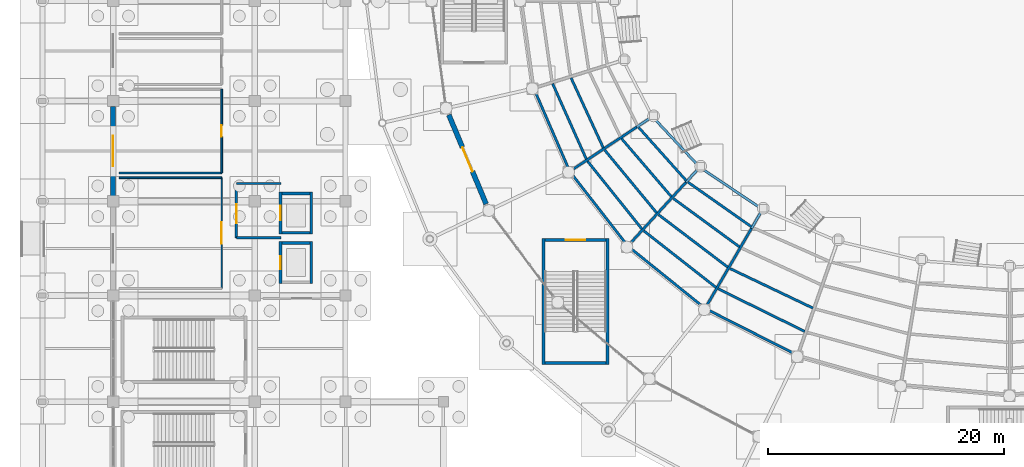
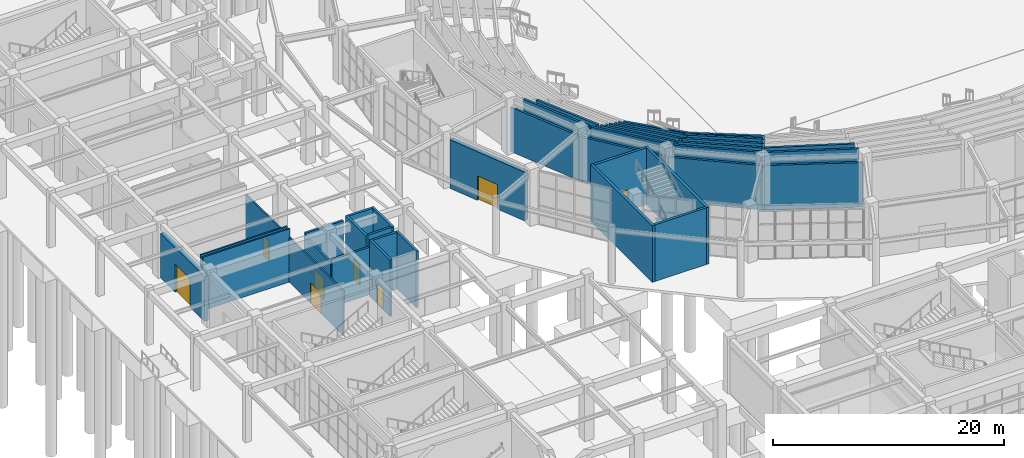
# One storey, part 82 of 121: 41 walls, 8 doors, 8 openings.
"""IFC4 building model written with IfcOpenShell, lengths in metres."""

from ifc_helpers import new_model, si_unit, direction, frame, frame_2d, origin, place, context, subcontext, project, spatial, polyline, rectangle, outline, extrude, material, layer, layer_set, type_object, element, fill, save


model = new_model("IFC4")

# Units and contexts
model_context = context("Model", 3, precision=1e-05, world=origin(), true_north=direction((0.0, 1.0)))
body_context = subcontext(model_context, "Body", "Model", "MODEL_VIEW")
ifc_project = project(units=[si_unit("LENGTHUNIT", "METRE"), si_unit("AREAUNIT", "SQUARE_METRE"), si_unit("VOLUMEUNIT", "CUBIC_METRE"), si_unit("PLANEANGLEUNIT", "RADIAN"), si_unit("MASSUNIT", "GRAM", prefix="KILO")], contexts=[model_context])

# Site, building, storey
site_placement = place(None, origin())
site = spatial("IfcSite", under=ifc_project, at=site_placement, CompositionType="ELEMENT")
building_placement = place(site_placement, origin())
building = spatial("IfcBuilding", under=site, at=building_placement, Name="Cuetzalor Civic Arena", CompositionType="ELEMENT")
storey_placement = place(building_placement, origin())
storey = spatial("IfcBuildingStorey", under=building, at=storey_placement, Name="L00", CompositionType="ELEMENT", Elevation=0.0)

# Wall
ifc_material_1 = material(Name="Acoustic steel-stud gypsum partition", Category="steel")
ifc_layer_1 = layer(ifc_material_1, 0.14990234375)
ifc_layer_set_1 = layer_set([ifc_layer_1], Name="Acoustic steel-stud gypsum partition")
wall_type_1 = type_object("IfcWallType", Name="AcousticGypsumPartition_150", PredefinedType="PARTITIONING", material=ifc_layer_set_1)
wall_1_placement = place(storey_placement, frame((-75.5, -15.0, 0.0), z_axis=(0.0, 0.0, 1.0), x_axis=(1.0, 0.0, 0.0)))
element("IfcWall", 1, at=wall_1_placement, inside=storey, type_object=wall_type_1, Name="Interior Partition IWALL:L00:0091", PredefinedType="PARTITIONING", context=body_context, shape_type="SweptSolid", body=[
    extrude(rectangle(XDim=8.699951171875, YDim=0.14990234375, at=frame_2d((4.35009765625, 0.0))), origin(), (0.0, 0.0, 1.0), 5.639892578125),
])

# Wall, opening, door
wall_2_placement = place(storey_placement, frame((-66.800048828125, -15.0, 0.0), z_axis=(0.0, 0.0, 1.0), x_axis=(0.0, -1.0, 0.0)))
wall_2 = element("IfcWall", 2, at=wall_2_placement, inside=storey, type_object=wall_type_1, Name="Interior Partition IWALL:L00:0093", PredefinedType="PARTITIONING", context=body_context, shape_type="SweptSolid", body=[
    extrude(rectangle(XDim=9.39990234375, YDim=0.14990234375, at=frame_2d((4.699951171875, 0.0))), origin(), (0.0, 0.0, 1.0), 4.72509765625),
])
opening_1_placement = place(wall_2_placement, frame((3.800048828125, 0.0, 0.0)))
opening_1 = element("IfcOpeningElement", 3, at=opening_1_placement, cuts=wall_2, Name="Opening ID-06", PredefinedType="OPENING", context=body_context, shape_type="SweptSolid", body=[
    extrude(rectangle(XDim=1.800048828125, YDim=2.199951171875, at=frame_2d((0.89990234375, 1.10009765625))), frame((0.0, 0.0849609375, 0.0), z_axis=(0.0, -1.0, 0.0), x_axis=(1.0, 0.0, 0.0)), (0.0, 0.0, 1.0), 0.169921875),
])
ifc_material_2 = material(Name="Glazed bronze acoustic double door", Category="metal")
door_type_1 = type_object("IfcDoorType", Name="PublicDoubleDoor_1800x2200", OperationType="DOUBLE_DOOR_SINGLE_SWING", PredefinedType="DOOR", material=ifc_material_2)
door_1_placement = place(opening_1_placement, origin())
door_1 = element("IfcDoor", 4, at=door_1_placement, inside=storey, type_object=door_type_1, Name="Door to Concessions Hall West South L00", OperationType="DOUBLE_DOOR_SINGLE_SWING", OverallHeight=2.199951171875, OverallWidth=1.800048828125, PredefinedType="DOOR", context=body_context, shape_type="SweptSolid", body=[
    extrude(rectangle(XDim=1.800048828125, YDim=2.199951171875, at=frame_2d((0.89990234375, 1.10009765625))), frame((0.0, 0.02490234375, 0.0), z_axis=(0.0, -1.0, 0.0), x_axis=(1.0, 0.0, 0.0)), (0.0, 0.0, 1.0), 0.050048828125),
])
fill(opening_1, door_1)

# Wall
wall_3_placement = place(storey_placement, frame((-66.800048828125, -14.60009765625, 0.0), z_axis=(0.0, 0.0, 1.0), x_axis=(-1.0, 0.0, 0.0)))
element("IfcWall", 5, at=wall_3_placement, inside=storey, type_object=wall_type_1, Name="Interior Partition IWALL:L00:0095", PredefinedType="PARTITIONING", context=body_context, shape_type="SweptSolid", body=[
    extrude(rectangle(XDim=8.699951171875, YDim=0.14990234375, at=frame_2d((4.35009765625, 0.0))), origin(), (0.0, 0.0, 1.0), 5.639892578125),
])

# Wall, opening, door
wall_4_placement = place(storey_placement, frame((-66.800048828125, -7.5, 0.0), z_axis=(0.0, 0.0, 1.0), x_axis=(0.0, -1.0, 0.0)))
wall_4 = element("IfcWall", 6, at=wall_4_placement, inside=storey, type_object=wall_type_1, Name="Interior Partition IWALL:L00:0096", PredefinedType="PARTITIONING", context=body_context, shape_type="SweptSolid", body=[
    extrude(rectangle(XDim=7.10009765625, YDim=0.14990234375, at=frame_2d((3.550048828125, 0.0))), origin(), (0.0, 0.0, 1.0), 4.72509765625),
])
opening_2_placement = place(wall_4_placement, frame((3.074951171875, 0.0, 0.0)))
opening_2 = element("IfcOpeningElement", 7, at=opening_2_placement, cuts=wall_4, Name="Opening ID-03", PredefinedType="OPENING", context=body_context, shape_type="SweptSolid", body=[
    extrude(rectangle(XDim=0.949951171875, YDim=2.14990234375, at=frame_2d((0.47509765625, 1.074951171875))), frame((0.0, 0.0849609375, 0.0), z_axis=(0.0, -1.0, 0.0), x_axis=(1.0, 0.0, 0.0)), (0.0, 0.0, 1.0), 0.169921875),
])
ifc_material_3 = material(Name="Painted steel frame and solid timber leaf", Category="steel")
door_type_2 = type_object("IfcDoorType", Name="InteriorSingleDoor_950x2150", OperationType="NOTDEFINED", PredefinedType="DOOR", material=ifc_material_3)
door_2_placement = place(opening_2_placement, origin())
door_2 = element("IfcDoor", 8, at=door_2_placement, inside=storey, type_object=door_type_2, Name="Door to Public Restroom West South L00", OperationType="SINGLE_SWING_LEFT", OverallHeight=2.14990234375, OverallWidth=0.949951171875, PredefinedType="DOOR", context=body_context, shape_type="SweptSolid", body=[
    extrude(rectangle(XDim=0.949951171875, YDim=2.14990234375, at=frame_2d((0.47509765625, 1.074951171875))), frame((0.0, 0.02490234375, 0.0), z_axis=(0.0, -1.0, 0.0), x_axis=(1.0, 0.0, 0.0)), (0.0, 0.0, 1.0), 0.050048828125),
])
fill(opening_2, door_2)

ifc_material_4 = material(Name="Puebla cantera gris stone on Concrete C35/45", Category="masonry")
ifc_layer_2 = layer(ifc_material_4, 0.419921875)
ifc_layer_set_2 = layer_set([ifc_layer_2], Name="Puebla cantera gris stone on Concrete C35/45")
wall_type_2 = type_object("IfcWallType", Name="CanteraStoneArcadeWall_420", PredefinedType="SOLIDWALL", material=ifc_layer_set_2)
wall_5_placement = place(storey_placement, frame((-44.38037109375, -17.232421875, 0.0), z_axis=(0.0, 0.0, 1.0), x_axis=(-0.385830591871, 0.92256964744, 0.0)))
wall_5 = element("IfcWall", 9, at=wall_5_placement, inside=storey, type_object=wall_type_2, Name="Drum Ground Colonnade Portal Wall L00-005", PredefinedType="SOLIDWALL", context=body_context, shape_type="SweptSolid", body=[
    extrude(rectangle(XDim=8.18603515625, YDim=0.419921875, at=frame_2d((4.093017578125, 0.0))), origin(), (0.0, 0.0, 1.0), 5.156982421875),
])
opening_3_placement = place(wall_5_placement, frame((2.992919921875, 0.0, 0.0)))
opening_3 = element("IfcOpeningElement", 10, at=opening_3_placement, cuts=wall_5, Name="Opening ED-07", PredefinedType="OPENING", context=body_context, shape_type="SweptSolid", body=[
    extrude(rectangle(XDim=2.199951171875, YDim=2.60009765625, at=frame_2d((1.10009765625, 1.300048828125))), frame((0.0, 0.219970703125, 0.0), z_axis=(0.0, -1.0, 0.0), x_axis=(1.0, 0.0, 0.0)), (0.0, 0.0, 1.0), 0.43994140625),
])
ifc_material_5 = material(Name="Thermally broken bronze steel and laminated glass", Category="steel")
door_type_3 = type_object("IfcDoorType", Name="PedestrianExitPortal_2200x2600", OperationType="DOUBLE_DOOR_SINGLE_SWING", PredefinedType="DOOR", material=ifc_material_5)
door_3_placement = place(opening_3_placement, origin())
door_3 = element("IfcDoor", 11, at=door_3_placement, inside=storey, type_object=door_type_3, Name="Pedestrian exit gate G05", OperationType="DOUBLE_DOOR_SINGLE_SWING", OverallHeight=2.60009765625, OverallWidth=2.199951171875, PredefinedType="DOOR", context=body_context, shape_type="SweptSolid", body=[
    extrude(rectangle(XDim=2.199951171875, YDim=2.60009765625, at=frame_2d((1.10009765625, 1.300048828125))), frame((0.0, 0.02490234375, 0.0), z_axis=(0.0, -1.0, 0.0), x_axis=(1.0, 0.0, 0.0)), (0.0, 0.0, 1.0), 0.050048828125),
])
fill(opening_3, door_3)

wall_6_placement = place(storey_placement, frame((-76.0, -16.54296875, 0.0), z_axis=(0.0, 0.0, 1.0), x_axis=(0.0, 1.0, 0.0)))
wall_6 = element("IfcWall", 12, at=wall_6_placement, inside=storey, type_object=wall_type_2, Name="V4W Colonnade Entrance Wall L00-122", PredefinedType="SOLIDWALL", context=body_context, shape_type="SweptSolid", body=[
    extrude(rectangle(XDim=7.5859375, YDim=0.419921875, at=frame_2d((3.79296875, 0.0))), origin(), (0.0, 0.0, 1.0), 4.739990234375),
])
opening_4_placement = place(wall_6_placement, frame((2.492919921875, 0.0, 0.0)))
opening_4 = element("IfcOpeningElement", 13, at=opening_4_placement, cuts=wall_6, Name="Opening ED-02", PredefinedType="OPENING", context=body_context, shape_type="SweptSolid", body=[
    extrude(rectangle(XDim=2.60009765625, YDim=3.0, at=frame_2d((1.300048828125, 1.5))), frame((0.0, 0.219970703125, 0.0), z_axis=(0.0, -1.0, 0.0), x_axis=(1.0, 0.0, 0.0)), (0.0, 0.0, 1.0), 0.43994140625),
])
ifc_material_6 = material(Name="Thermally broken bronze steel and laminated glass", Category="steel")
door_type_4 = type_object("IfcDoorType", Name="MainColonnadeEntrance_2600x3000", OperationType="DOUBLE_DOOR_SINGLE_SWING", PredefinedType="DOOR", material=ifc_material_6)
door_4_placement = place(opening_4_placement, origin())
door_4 = element("IfcDoor", 14, at=door_4_placement, inside=storey, type_object=door_type_4, Name="Main entrance E08", OperationType="DOUBLE_DOOR_SINGLE_SWING", OverallHeight=3.0, OverallWidth=2.60009765625, PredefinedType="DOOR", context=body_context, shape_type="SweptSolid", body=[
    extrude(rectangle(XDim=2.60009765625, YDim=3.0, at=frame_2d((1.300048828125, 1.5))), frame((0.0, 0.02490234375, 0.0), z_axis=(0.0, -1.0, 0.0), x_axis=(1.0, 0.0, 0.0)), (0.0, 0.0, 1.0), 0.050048828125),
])
fill(opening_4, door_4)

# Wall
ifc_material_7 = material(Name="Concrete C40/50", Category="concrete")
ifc_layer_3 = layer(ifc_material_7, 0.25)
ifc_layer_set_3 = layer_set([ifc_layer_3], Name="Concrete C40/50")
wall_type_3 = type_object("IfcWallType", Name="ConcreteCoreShearWall_250", PredefinedType="SHEAR", material=ifc_layer_set_3)
wall_7_placement = place(storey_placement, frame((-39.52490234375, -30.85009765625, 0.0), z_axis=(0.0, 0.0, 1.0), x_axis=(0.0, 1.0, 0.0)))
element("IfcWall", 15, at=wall_7_placement, inside=storey, type_object=wall_type_3, Name="Stair Core Shear Wall ST-06-L00-W", PredefinedType="SHEAR", context=body_context, shape_type="SweptSolid", body=[
    extrude(rectangle(XDim=10.7001953125, YDim=0.25, at=frame_2d((5.35009765625, 0.0))), origin(), (0.0, 0.0, 1.0), 6.0),
])

# Wall, opening, door
wall_8_placement = place(storey_placement, frame((-39.39990234375, -20.27490234375, 0.0), z_axis=(0.0, 0.0, 1.0), x_axis=(1.0, 0.0, 0.0)))
wall_8 = element("IfcWall", 16, at=wall_8_placement, inside=storey, type_object=wall_type_3, Name="Stair Core Shear Wall ST-06-L00-N", PredefinedType="SHEAR", context=body_context, shape_type="SweptSolid", body=[
    extrude(rectangle(XDim=5.199951171875, YDim=0.25, at=frame_2d((2.60009765625, 0.0))), origin(), (0.0, 0.0, 1.0), 6.0),
])
opening_5_placement = place(wall_8_placement, frame((1.77490234375, 0.0, 0.0)))
opening_5 = element("IfcOpeningElement", 17, at=opening_5_placement, cuts=wall_8, Name="Opening FD-04", PredefinedType="OPENING", context=body_context, shape_type="SweptSolid", body=[
    extrude(rectangle(XDim=1.64990234375, YDim=2.199951171875, at=frame_2d((0.824951171875, 1.10009765625))), frame((0.0, 0.135009765625, 0.0), z_axis=(0.0, -1.0, 0.0), x_axis=(1.0, 0.0, 0.0)), (0.0, 0.0, 1.0), 0.27001953125),
])
ifc_material_8 = material(Name="Fire-rated steel stair exit double door", Category="steel")
door_type_5 = type_object("IfcDoorType", Name="StairFireDoubleDoor_1650x2200", OperationType="DOUBLE_DOOR_SINGLE_SWING", PredefinedType="DOOR", material=ifc_material_8)
door_5_placement = place(opening_5_placement, origin())
door_5 = element("IfcDoor", 18, at=door_5_placement, inside=storey, type_object=door_type_5, Name="Fire Stair Door ST-06 L00", OperationType="DOUBLE_DOOR_SINGLE_SWING", OverallHeight=2.199951171875, OverallWidth=1.64990234375, PredefinedType="DOOR", context=body_context, shape_type="SweptSolid", body=[
    extrude(rectangle(XDim=1.64990234375, YDim=2.199951171875, at=frame_2d((0.824951171875, 1.10009765625))), frame((0.0, 0.02490234375, 0.0), z_axis=(0.0, -1.0, 0.0), x_axis=(1.0, 0.0, 0.0)), (0.0, 0.0, 1.0), 0.050048828125),
])
fill(opening_5, door_5)

# Walls
wall_9_placement = place(storey_placement, frame((-34.074951171875, -20.14990234375, 0.0), z_axis=(0.0, 0.0, 1.0), x_axis=(0.0, -1.0, 0.0)))
element("IfcWall", 19, at=wall_9_placement, inside=storey, type_object=wall_type_3, Name="Stair Core Shear Wall ST-06-L00-E", PredefinedType="SHEAR", context=body_context, shape_type="SweptSolid", body=[
    extrude(rectangle(XDim=10.7001953125, YDim=0.25, at=frame_2d((5.35009765625, 0.0))), origin(), (0.0, 0.0, 1.0), 6.0),
])
wall_10_placement = place(storey_placement, frame((-34.199951171875, -30.72509765625, 0.0), z_axis=(0.0, 0.0, 1.0), x_axis=(-1.0, 0.0, 0.0)))
element("IfcWall", 20, at=wall_10_placement, inside=storey, type_object=wall_type_3, Name="Stair Core Shear Wall ST-06-L00-S", PredefinedType="SHEAR", context=body_context, shape_type="SweptSolid", body=[
    extrude(rectangle(XDim=5.199951171875, YDim=0.25, at=frame_2d((2.60009765625, 0.0))), origin(), (0.0, 0.0, 1.0), 6.0),
])

# Wall, opening, door
ifc_material_9 = material(Name="Fire-rated masonry and gypsum partition", Category="masonry")
ifc_layer_4 = layer(ifc_material_9, 0.199951171875)
ifc_layer_set_4 = layer_set([ifc_layer_4], Name="Fire-rated masonry and gypsum partition")
wall_type_4 = type_object("IfcWallType", Name="FireCompartmentWall_200", PredefinedType="PARTITIONING", material=ifc_layer_set_4)
wall_11_placement = place(storey_placement, frame((-65.550048828125, -20.10009765625, 0.0), z_axis=(0.0, 0.0, 1.0), x_axis=(0.0, 1.0, 0.0)))
wall_11 = element("IfcWall", 21, at=wall_11_placement, inside=storey, type_object=wall_type_4, Name="Interior Partition IWALL:L00:0001", PredefinedType="PARTITIONING", context=body_context, shape_type="SweptSolid", body=[
    extrude(rectangle(XDim=4.60009765625, YDim=0.199951171875, at=frame_2d((2.300048828125, 0.0))), origin(), (0.0, 0.0, 1.0), 4.72509765625),
])
opening_6_placement = place(wall_11_placement, frame((1.25, 0.0, 0.0)))
opening_6 = element("IfcOpeningElement", 22, at=opening_6_placement, cuts=wall_11, Name="Opening FD-05", PredefinedType="OPENING", context=body_context, shape_type="SweptSolid", body=[
    extrude(rectangle(XDim=1.60009765625, YDim=2.199951171875, at=frame_2d((0.800048828125, 1.10009765625))), frame((0.0, 0.10986328125, 0.0), z_axis=(0.0, -1.0, 0.0), x_axis=(1.0, 0.0, 0.0)), (0.0, 0.0, 1.0), 0.219970703125),
])
ifc_material_10 = material(Name="Fire-rated smoke-seal lobby double door", Category="steel")
door_type_6 = type_object("IfcDoorType", Name="FireLobbyDoubleDoor_1600x2200", OperationType="DOUBLE_DOOR_SINGLE_SWING", PredefinedType="DOOR", material=ifc_material_10)
door_6_placement = place(opening_6_placement, origin())
door_6 = element("IfcDoor", 23, at=door_6_placement, inside=storey, type_object=door_type_6, Name="Door to Firefighting Lift Lobby LF-01 L00", OperationType="DOUBLE_DOOR_SINGLE_SWING", OverallHeight=2.199951171875, OverallWidth=1.60009765625, PredefinedType="DOOR", context=body_context, shape_type="SweptSolid", body=[
    extrude(rectangle(XDim=1.60009765625, YDim=2.199951171875, at=frame_2d((0.800048828125, 1.10009765625))), frame((0.0, 0.02490234375, 0.0), z_axis=(0.0, -1.0, 0.0), x_axis=(1.0, 0.0, 0.0)), (0.0, 0.0, 1.0), 0.050048828125),
])
fill(opening_6, door_6)

# Walls
for number, where, z_axis, x_axis, name in (
    (24, (-65.550048828125, -15.5, 0.0), (0.0, 0.0, 1.0), (1.0, 0.0, 0.0), "Interior Partition IWALL:L00:0002"),
    (25, (-61.75, -20.10009765625, 0.0), (0.0, 0.0, 1.0), (-1.0, 0.0, 0.0), "Interior Partition IWALL:L00:0003"),
):
    element("IfcWall", number, at=place(storey_placement, frame(where, z_axis=z_axis, x_axis=x_axis)), inside=storey, type_object=wall_type_4, Name=name, PredefinedType="PARTITIONING", context=body_context, shape_type="SweptSolid", body=[
        extrude(rectangle(XDim=3.800048828125, YDim=0.199951171875, at=frame_2d((1.89990234375, 0.0))), origin(), (0.0, 0.0, 1.0), 5.02490234375),
    ])

# Wall, opening, door
ifc_material_11 = material(Name="Concrete C40/50", Category="concrete")
ifc_layer_5 = layer(ifc_material_11, 0.219970703125)
ifc_layer_set_5 = layer_set([ifc_layer_5], Name="Concrete C40/50")
wall_type_5 = type_object("IfcWallType", Name="LiftShaftShearWall_220", PredefinedType="SHEAR", material=ifc_layer_set_5)
wall_12_placement = place(storey_placement, frame((-61.81005859375, -19.77001953125, 0.0), z_axis=(0.0, 0.0, 1.0), x_axis=(0.0, 1.0, 0.0)))
wall_12 = element("IfcWall", 26, at=wall_12_placement, inside=storey, type_object=wall_type_5, Name="Lift Shaft Wall LF-01-L00-W", PredefinedType="SHEAR", context=body_context, shape_type="SweptSolid", body=[
    extrude(rectangle(XDim=3.5400390625, YDim=0.219970703125, at=frame_2d((1.77001953125, 0.0))), origin(), (0.0, 0.0, 1.0), 6.0),
])
opening_7_placement = place(wall_12_placement, frame((1.169921875, 0.0, 0.0)))
opening_7 = element("IfcOpeningElement", 27, at=opening_7_placement, cuts=wall_12, Name="Opening LD-02", PredefinedType="OPENING", context=body_context, shape_type="SweptSolid", body=[
    extrude(rectangle(XDim=1.199951171875, YDim=2.199951171875, at=frame_2d((0.60009765625, 1.10009765625))), frame((0.0, 0.1201171875, 0.0), z_axis=(0.0, -1.0, 0.0), x_axis=(1.0, 0.0, 0.0)), (0.0, 0.0, 1.0), 0.239990234375),
])
ifc_material_12 = material(Name="Fire-rated stainless steel sliding lift landing door", Category="steel")
door_type_7 = type_object("IfcDoorType", Name="LiftLandingSlidingDoor_1200x2200", OperationType="SLIDING_TO_LEFT", PredefinedType="DOOR", material=ifc_material_12)
door_7_placement = place(opening_7_placement, origin())
door_7 = element("IfcDoor", 28, at=door_7_placement, inside=storey, type_object=door_type_7, Name="Lift Landing Sliding Door LF-01 L00", OperationType="SLIDING_TO_LEFT", OverallHeight=2.199951171875, OverallWidth=1.199951171875, PredefinedType="DOOR", context=body_context, shape_type="SweptSolid", body=[
    extrude(rectangle(XDim=1.199951171875, YDim=2.199951171875, at=frame_2d((0.60009765625, 1.10009765625))), frame((0.0, 0.02490234375, 0.0), z_axis=(0.0, -1.0, 0.0), x_axis=(1.0, 0.0, 0.0)), (0.0, 0.0, 1.0), 0.050048828125),
])
fill(opening_7, door_7)

# Walls
wall_13_placement = place(storey_placement, frame((-61.699951171875, -16.340087890625, 0.0), z_axis=(0.0, 0.0, 1.0), x_axis=(1.0, 0.0, 0.0)))
element("IfcWall", 29, at=wall_13_placement, inside=storey, type_object=wall_type_5, Name="Lift Shaft Wall LF-01-L00-N", PredefinedType="SHEAR", context=body_context, shape_type="SweptSolid", body=[
    extrude(rectangle(XDim=2.39990234375, YDim=0.219970703125, at=frame_2d((1.199951171875, 0.0))), origin(), (0.0, 0.0, 1.0), 6.0),
])
wall_14_placement = place(storey_placement, frame((-59.18994140625, -16.22998046875, 0.0), z_axis=(0.0, 0.0, 1.0), x_axis=(0.0, -1.0, 0.0)))
element("IfcWall", 30, at=wall_14_placement, inside=storey, type_object=wall_type_5, Name="Lift Shaft Wall LF-01-L00-E", PredefinedType="SHEAR", context=body_context, shape_type="SweptSolid", body=[
    extrude(rectangle(XDim=3.5400390625, YDim=0.219970703125, at=frame_2d((1.77001953125, 0.0))), origin(), (0.0, 0.0, 1.0), 6.0),
])
wall_15_placement = place(storey_placement, frame((-59.300048828125, -19.659912109375, 0.0), z_axis=(0.0, 0.0, 1.0), x_axis=(-1.0, 0.0, 0.0)))
element("IfcWall", 31, at=wall_15_placement, inside=storey, type_object=wall_type_5, Name="Lift Shaft Wall LF-01-L00-S", PredefinedType="SHEAR", context=body_context, shape_type="SweptSolid", body=[
    extrude(rectangle(XDim=2.39990234375, YDim=0.219970703125, at=frame_2d((1.199951171875, 0.0))), origin(), (0.0, 0.0, 1.0), 6.0),
])

# Wall, opening, door
wall_16_placement = place(storey_placement, frame((-61.81005859375, -23.969970703125, 0.0), z_axis=(0.0, 0.0, 1.0), x_axis=(0.0, 1.0, 0.0)))
wall_16 = element("IfcWall", 32, at=wall_16_placement, inside=storey, type_object=wall_type_5, Name="Lift Shaft Wall LP-03-L00-W", PredefinedType="SHEAR", context=body_context, shape_type="SweptSolid", body=[
    extrude(rectangle(XDim=3.5400390625, YDim=0.219970703125, at=frame_2d((1.77001953125, 0.0))), origin(), (0.0, 0.0, 1.0), 6.0),
])
opening_8_placement = place(wall_16_placement, frame((1.219970703125, 0.0, 0.0)))
opening_8 = element("IfcOpeningElement", 33, at=opening_8_placement, cuts=wall_16, Name="Opening LD-01", PredefinedType="OPENING", context=body_context, shape_type="SweptSolid", body=[
    extrude(rectangle(XDim=1.10009765625, YDim=2.199951171875, at=frame_2d((0.550048828125, 1.10009765625))), frame((0.0, 0.1201171875, 0.0), z_axis=(0.0, -1.0, 0.0), x_axis=(1.0, 0.0, 0.0)), (0.0, 0.0, 1.0), 0.239990234375),
])
ifc_material_13 = material(Name="Brushed stainless steel sliding lift landing door", Category="steel")
door_type_8 = type_object("IfcDoorType", Name="LiftLandingSlidingDoor_1100x2200", OperationType="SLIDING_TO_LEFT", PredefinedType="DOOR", material=ifc_material_13)
door_8_placement = place(opening_8_placement, origin())
door_8 = element("IfcDoor", 34, at=door_8_placement, inside=storey, type_object=door_type_8, Name="Lift Landing Sliding Door LP-03 L00", OperationType="SLIDING_TO_LEFT", OverallHeight=2.199951171875, OverallWidth=1.10009765625, PredefinedType="DOOR", context=body_context, shape_type="SweptSolid", body=[
    extrude(rectangle(XDim=1.10009765625, YDim=2.199951171875, at=frame_2d((0.550048828125, 1.10009765625))), frame((0.0, 0.02490234375, 0.0), z_axis=(0.0, -1.0, 0.0), x_axis=(1.0, 0.0, 0.0)), (0.0, 0.0, 1.0), 0.050048828125),
])
fill(opening_8, door_8)

# Walls
wall_17_placement = place(storey_placement, frame((-61.699951171875, -20.5400390625, 0.0), z_axis=(0.0, 0.0, 1.0), x_axis=(1.0, 0.0, 0.0)))
element("IfcWall", 35, at=wall_17_placement, inside=storey, type_object=wall_type_5, Name="Lift Shaft Wall LP-03-L00-N", PredefinedType="SHEAR", context=body_context, shape_type="SweptSolid", body=[
    extrude(rectangle(XDim=2.39990234375, YDim=0.219970703125, at=frame_2d((1.199951171875, 0.0))), origin(), (0.0, 0.0, 1.0), 6.0),
])
wall_18_placement = place(storey_placement, frame((-59.18994140625, -20.429931640625, 0.0), z_axis=(0.0, 0.0, 1.0), x_axis=(0.0, -1.0, 0.0)))
element("IfcWall", 36, at=wall_18_placement, inside=storey, type_object=wall_type_5, Name="Lift Shaft Wall LP-03-L00-E", PredefinedType="SHEAR", context=body_context, shape_type="SweptSolid", body=[
    extrude(rectangle(XDim=3.5400390625, YDim=0.219970703125, at=frame_2d((1.77001953125, 0.0))), origin(), (0.0, 0.0, 1.0), 6.0),
])
ifc_material_14 = material(Name="Precast concrete C40/50", Category="concrete")
ifc_layer_6 = layer(ifc_material_14, 0.2099609375)
ifc_layer_set_6 = layer_set([ifc_layer_6], Name="Precast concrete C40/50")
wall_type_6 = type_object("IfcWallType", Name="PrecastBowlRiserWall_210", PredefinedType="SHEAR", material=ifc_layer_set_6)
wall_19_placement = place(storey_placement, frame((-37.177490234375, -6.546875, 0.0), z_axis=(0.0, 0.0, 1.0), x_axis=(0.41867397514, -0.908136610065, 0.0)))
element("IfcWall", 37, at=wall_19_placement, inside=storey, type_object=wall_type_6, Name="Lower Bowl Riser Support Wall S16-R3", PredefinedType="SHEAR", context=body_context, shape_type="SweptSolid", body=[
    extrude(rectangle(XDim=6.52880859375, YDim=0.2099609375, at=frame_2d((3.264404296875, 0.0))), origin(), (0.0, 0.0, 1.0), 3.780029296875),
])
wall_20_placement = place(storey_placement, frame((-38.738525390625, -7.036865234375, 0.0), z_axis=(0.0, 0.0, 1.0), x_axis=(0.407645648148, -0.913140200378, 0.0)))
element("IfcWall", 38, at=wall_20_placement, inside=storey, type_object=wall_type_6, Name="Lower Bowl Riser Support Wall S16-R4", PredefinedType="SHEAR", context=body_context, shape_type="SweptSolid", body=[
    extrude(rectangle(XDim=7.001220703125, YDim=0.2099609375, at=frame_2d((3.50048828125, 0.0))), origin(), (0.0, 0.0, 1.0), 4.699951171875),
])
wall_21_placement = place(storey_placement, frame((-40.299560546875, -7.52685546875, 0.0), z_axis=(0.0, 0.0, 1.0), x_axis=(0.397948413822, -0.917407793697, 0.0)))
element("IfcWall", 39, at=wall_21_placement, inside=storey, type_object=wall_type_6, Name="Lower Bowl Riser Support Wall S16-R5", PredefinedType="SHEAR", context=body_context, shape_type="SweptSolid", body=[
    extrude(rectangle(XDim=7.474365234375, YDim=0.2099609375, at=frame_2d((3.7373046875, 0.0))), origin(), (0.0, 0.0, 1.0), 4.699951171875),
])
wall_22_placement = place(storey_placement, frame((-30.1826171875, -9.762451171875, 0.0), z_axis=(0.0, 0.0, 1.0), x_axis=(-0.833771228261, -0.552110078629, 0.0)))
element("IfcWall", 40, at=wall_22_placement, inside=storey, type_object=wall_type_6, Name="Lower Bowl Radial Carrier Wall S17", PredefinedType="SHEAR", context=body_context, shape_type="SweptSolid", body=[
    extrude(outline(polyline([(0.0, 0.0), (8.64453125, 0.0), (8.64453125, 4.699951171875), (6.92578125, 4.699951171875), (6.915771484375, 3.780029296875), (5.19677734375, 3.780029296875), (5.186767578125, 2.860107421875), (3.4677734375, 2.860107421875), (3.457763671875, 1.93994140625), (1.739013671875, 1.93994140625), (1.72900390625, 1.02001953125), (0.0, 1.02001953125), (0.0, 0.0)])), frame((0.0, 0.10498046875, 0.0), z_axis=(0.0, -1.0, 0.0), x_axis=(1.0, 0.0, 0.0)), (0.0, 0.0, 1.0), 0.2099609375),
])
wall_23_placement = place(storey_placement, frame((-30.216796875, -9.893310546875, 0.0), z_axis=(0.0, 0.0, 1.0), x_axis=(0.682527516109, -0.730859897486, 0.0)))
element("IfcWall", 41, at=wall_23_placement, inside=storey, type_object=wall_type_6, Name="Lower Bowl Riser Support Wall S17-R0", PredefinedType="SHEAR", context=body_context, shape_type="SweptSolid", body=[
    extrude(rectangle(XDim=5.65234375, YDim=0.2099609375, at=frame_2d((2.826171875, 0.0))), origin(), (0.0, 0.0, 1.0), 1.02001953125),
])
wall_24_placement = place(storey_placement, frame((-31.44384765625, -10.745361328125, 0.0), z_axis=(0.0, 0.0, 1.0), x_axis=(0.666570191538, -0.745442271241, 0.0)))
element("IfcWall", 42, at=wall_24_placement, inside=storey, type_object=wall_type_6, Name="Lower Bowl Riser Support Wall S17-R1", PredefinedType="SHEAR", context=body_context, shape_type="SweptSolid", body=[
    extrude(rectangle(XDim=6.0361328125, YDim=0.2099609375, at=frame_2d((3.01806640625, 0.0))), origin(), (0.0, 0.0, 1.0), 1.93994140625),
])
wall_25_placement = place(storey_placement, frame((-32.88720703125, -11.701416015625, 0.0), z_axis=(0.0, 0.0, 1.0), x_axis=(0.651315952363, -0.758806648756, 0.0)))
element("IfcWall", 43, at=wall_25_placement, inside=storey, type_object=wall_type_6, Name="Lower Bowl Riser Support Wall S17-R2", PredefinedType="SHEAR", context=body_context, shape_type="SweptSolid", body=[
    extrude(rectangle(XDim=6.475341796875, YDim=0.2099609375, at=frame_2d((3.23779296875, 0.0))), origin(), (0.0, 0.0, 1.0), 2.860107421875),
])
wall_26_placement = place(storey_placement, frame((-34.330078125, -12.6572265625, 0.0), z_axis=(0.0, 0.0, 1.0), x_axis=(0.637671002235, -0.770308829567, 0.0)))
element("IfcWall", 44, at=wall_26_placement, inside=storey, type_object=wall_type_6, Name="Lower Bowl Riser Support Wall S17-R3", PredefinedType="SHEAR", context=body_context, shape_type="SweptSolid", body=[
    extrude(rectangle(XDim=6.917236328125, YDim=0.2099609375, at=frame_2d((3.45849609375, 0.0))), origin(), (0.0, 0.0, 1.0), 3.780029296875),
])
wall_27_placement = place(storey_placement, frame((-35.77294921875, -13.61279296875, 0.0), z_axis=(0.0, 0.0, 1.0), x_axis=(0.625463248633, -0.780253628386, 0.0)))
element("IfcWall", 45, at=wall_27_placement, inside=storey, type_object=wall_type_6, Name="Lower Bowl Riser Support Wall S17-R4", PredefinedType="SHEAR", context=body_context, shape_type="SweptSolid", body=[
    extrude(rectangle(XDim=7.36083984375, YDim=0.2099609375, at=frame_2d((3.680419921875, 0.0))), origin(), (0.0, 0.0, 1.0), 4.699951171875),
])
wall_28_placement = place(storey_placement, frame((-37.2158203125, -14.568115234375, 0.0), z_axis=(0.0, 0.0, 1.0), x_axis=(0.614501224006, -0.788915867311, 0.0)))
element("IfcWall", 46, at=wall_28_placement, inside=storey, type_object=wall_type_6, Name="Lower Bowl Riser Support Wall S17-R5", PredefinedType="SHEAR", context=body_context, shape_type="SweptSolid", body=[
    extrude(rectangle(XDim=7.806640625, YDim=0.2099609375, at=frame_2d((3.9033203125, 0.0))), origin(), (0.0, 0.0, 1.0), 4.699951171875),
])
wall_29_placement = place(storey_placement, frame((-26.19140625, -14.028564453125, 0.0), z_axis=(0.0, 0.0, 1.0), x_axis=(-0.67383580406, -0.73888111978, 0.0)))
element("IfcWall", 47, at=wall_29_placement, inside=storey, type_object=wall_type_6, Name="Lower Bowl Radial Carrier Wall S18", PredefinedType="SHEAR", context=body_context, shape_type="SweptSolid", body=[
    extrude(outline(polyline([(0.0, 0.0), (9.2822265625, 0.0), (9.281982421875, 4.699951171875), (7.435791015625, 4.699951171875), (7.42578125, 3.780029296875), (5.579345703125, 3.780029296875), (5.5693359375, 2.860107421875), (3.722900390625, 2.860107421875), (3.712890625, 1.93994140625), (1.866455078125, 1.93994140625), (1.8564453125, 1.02001953125), (0.0, 1.02001953125), (0.0, 0.0)])), frame((0.0, 0.10498046875, 0.0), z_axis=(0.0, -1.0, 0.0), x_axis=(1.0, 0.0, 0.0)), (0.0, 0.0, 1.0), 0.2099609375),
])
wall_30_placement = place(storey_placement, frame((-26.195556640625, -14.16357421875, 0.0), z_axis=(0.0, 0.0, 1.0), x_axis=(0.829686299327, -0.558229921008, 0.0)))
element("IfcWall", 48, at=wall_30_placement, inside=storey, type_object=wall_type_6, Name="Lower Bowl Riser Support Wall S18-R0", PredefinedType="SHEAR", context=body_context, shape_type="SweptSolid", body=[
    extrude(rectangle(XDim=6.2001953125, YDim=0.2099609375, at=frame_2d((3.10009765625, 0.0))), origin(), (0.0, 0.0, 1.0), 1.02001953125),
])
wall_31_placement = place(storey_placement, frame((-27.260009765625, -15.387451171875, 0.0), z_axis=(0.0, 0.0, 1.0), x_axis=(0.818187433955, -0.574951583108, 0.0)))
element("IfcWall", 49, at=wall_31_placement, inside=storey, type_object=wall_type_6, Name="Lower Bowl Riser Support Wall S18-R1", PredefinedType="SHEAR", context=body_context, shape_type="SweptSolid", body=[
    extrude(rectangle(XDim=6.55322265625, YDim=0.2099609375, at=frame_2d((3.276611328125, 0.0))), origin(), (0.0, 0.0, 1.0), 1.93994140625),
])
wall_32_placement = place(storey_placement, frame((-28.51220703125, -16.760986328125, 0.0), z_axis=(0.0, 0.0, 1.0), x_axis=(0.806901917216, -0.590685445896, 0.0)))
element("IfcWall", 50, at=wall_32_placement, inside=storey, type_object=wall_type_6, Name="Lower Bowl Riser Support Wall S18-R2", PredefinedType="SHEAR", context=body_context, shape_type="SweptSolid", body=[
    extrude(rectangle(XDim=6.96240234375, YDim=0.2099609375, at=frame_2d((3.481201171875, 0.0))), origin(), (0.0, 0.0, 1.0), 2.860107421875),
])
wall_33_placement = place(storey_placement, frame((-29.764404296875, -18.134033203125, 0.0), z_axis=(0.0, 0.0, 1.0), x_axis=(0.796530171692, -0.604598780667, 0.0)))
element("IfcWall", 51, at=wall_33_placement, inside=storey, type_object=wall_type_6, Name="Lower Bowl Riser Support Wall S18-R3", PredefinedType="SHEAR", context=body_context, shape_type="SweptSolid", body=[
    extrude(rectangle(XDim=7.3740234375, YDim=0.2099609375, at=frame_2d((3.68701171875, 0.0))), origin(), (0.0, 0.0, 1.0), 3.780029296875),
])
wall_34_placement = place(storey_placement, frame((-31.016357421875, -19.507080078125, 0.0), z_axis=(0.0, 0.0, 1.0), x_axis=(0.787057560767, -0.616879563642, 0.0)))
element("IfcWall", 52, at=wall_34_placement, inside=storey, type_object=wall_type_6, Name="Lower Bowl Riser Support Wall S18-R4", PredefinedType="SHEAR", context=body_context, shape_type="SweptSolid", body=[
    extrude(rectangle(XDim=7.787109375, YDim=0.2099609375, at=frame_2d((3.8935546875, 0.0))), origin(), (0.0, 0.0, 1.0), 4.699951171875),
])
wall_35_placement = place(storey_placement, frame((-32.26806640625, -20.8798828125, 0.0), z_axis=(0.0, 0.0, 1.0), x_axis=(0.778324356103, -0.627862402678, 0.0)))
element("IfcWall", 53, at=wall_35_placement, inside=storey, type_object=wall_type_6, Name="Lower Bowl Riser Support Wall S18-R5", PredefinedType="SHEAR", context=body_context, shape_type="SweptSolid", body=[
    extrude(rectangle(XDim=8.202392578125, YDim=0.2099609375, at=frame_2d((4.10107421875, 0.0))), origin(), (0.0, 0.0, 1.0), 4.699951171875),
])
wall_36_placement = place(storey_placement, frame((-20.886962890625, -17.59130859375, 0.0), z_axis=(0.0, 0.0, 1.0), x_axis=(-0.501698244165, -0.86504269941, 0.0)))
element("IfcWall", 54, at=wall_36_placement, inside=storey, type_object=wall_type_6, Name="Lower Bowl Radial Carrier Wall S19", PredefinedType="SHEAR", context=body_context, shape_type="SweptSolid", body=[
    extrude(outline(polyline([(0.0, 0.0), (9.94189453125, 0.0), (9.94189453125, 4.699951171875), (7.963623046875, 4.699951171875), (7.95361328125, 3.780029296875), (5.97509765625, 3.780029296875), (5.965087890625, 2.860107421875), (3.98681640625, 2.860107421875), (3.976806640625, 1.93994140625), (1.998291015625, 1.93994140625), (1.98828125, 1.02001953125), (0.0, 1.02001953125), (0.0, 0.0)])), frame((0.0, 0.10498046875, 0.0), z_axis=(0.0, -1.0, 0.0), x_axis=(1.0, 0.0, 0.0)), (0.0, 0.0, 1.0), 0.2099609375),
])
wall_37_placement = place(storey_placement, frame((-23.707275390625, -22.7041015625, 0.0), z_axis=(0.0, 0.0, 1.0), x_axis=(0.902599567241, -0.430481150827, 0.0)))
element("IfcWall", 55, at=wall_37_placement, inside=storey, type_object=wall_type_6, Name="Lower Bowl Riser Support Wall S19-R3", PredefinedType="SHEAR", context=body_context, shape_type="SweptSolid", body=[
    extrude(rectangle(XDim=7.804443359375, YDim=0.2099609375, at=frame_2d((3.90234375, 0.0))), origin(), (0.0, 0.0, 1.0), 3.780029296875),
])
wall_38_placement = place(storey_placement, frame((-24.70556640625, -24.42529296875, 0.0), z_axis=(0.0, 0.0, 1.0), x_axis=(0.897111072501, -0.441805074209, 0.0)))
element("IfcWall", 56, at=wall_38_placement, inside=storey, type_object=wall_type_6, Name="Lower Bowl Riser Support Wall S19-R4", PredefinedType="SHEAR", context=body_context, shape_type="SweptSolid", body=[
    extrude(rectangle(XDim=8.191650390625, YDim=0.2099609375, at=frame_2d((4.095703125, 0.0))), origin(), (0.0, 0.0, 1.0), 4.699951171875),
])
wall_39_placement = place(storey_placement, frame((-25.70361328125, -26.146240234375, 0.0), z_axis=(0.0, 0.0, 1.0), x_axis=(0.891966782811, -0.452100938244, 0.0)))
element("IfcWall", 57, at=wall_39_placement, inside=storey, type_object=wall_type_6, Name="Lower Bowl Riser Support Wall S19-R5", PredefinedType="SHEAR", context=body_context, shape_type="SweptSolid", body=[
    extrude(rectangle(XDim=8.580322265625, YDim=0.2099609375, at=frame_2d((4.2900390625, 0.0))), origin(), (0.0, 0.0, 1.0), 4.699951171875),
])

save(model, "model.ifc")
